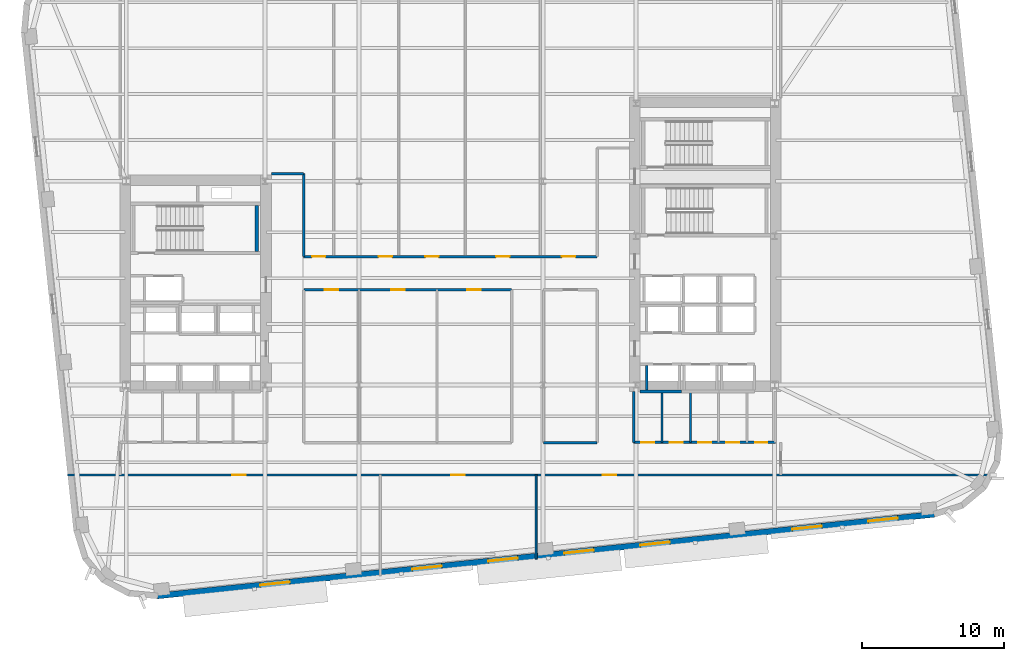
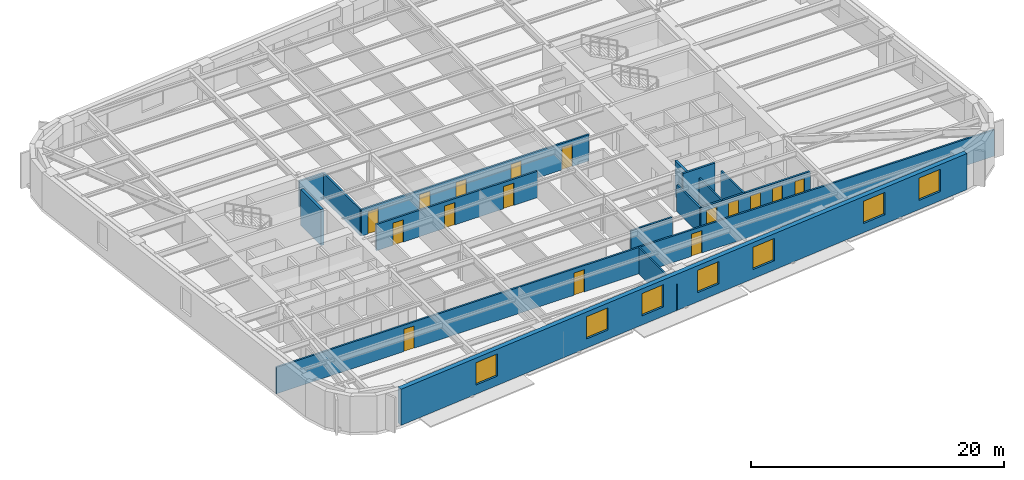
# One storey, part 5 of 15: 16 doors, 15 walls, 7 windows, 23 openings.
"""IFC4 building model written with IfcOpenShell, lengths in metres."""

from ifc_helpers import new_model, si_unit, direction, frame, frame_2d, origin, place, context, subcontext, project, spatial, rectangle, extrude, material, layer, layer_set, type_object, element, fill, save


model = new_model("IFC4")

# Units and contexts
model_context = context("Model", 3, precision=1e-05, world=origin(), true_north=direction((0.0, 1.0)))
body_context = subcontext(model_context, "Body", "Model", "MODEL_VIEW")
ifc_project = project(units=[si_unit("LENGTHUNIT", "METRE"), si_unit("AREAUNIT", "SQUARE_METRE"), si_unit("VOLUMEUNIT", "CUBIC_METRE"), si_unit("PLANEANGLEUNIT", "RADIAN"), si_unit("MASSUNIT", "GRAM", prefix="KILO")], contexts=[model_context])

# Site, building, storey
site_placement = place(None, origin())
site = spatial("IfcSite", under=ifc_project, at=site_placement, CompositionType="ELEMENT")
building_placement = place(site_placement, origin())
building = spatial("IfcBuilding", under=site, at=building_placement, Name="Kolvaren Arena Tower", CompositionType="ELEMENT")
storey_placement = place(building_placement, frame((0.0, 0.0, 118.449951171875)))
storey = spatial("IfcBuildingStorey", under=building, at=storey_placement, Name="L27", CompositionType="ELEMENT", Elevation=118.449951171875)

# Wall, openings, doors
ifc_material_1 = material(Name="Gypsum board acoustic assembly", Category="gypsum")
ifc_layer_1 = layer(ifc_material_1, 0.159912109375)
ifc_layer_set_1 = layer_set([ifc_layer_1], Name="Gypsum board acoustic assembly")
wall_type_1 = type_object("IfcWallType", Name="CORR-160", PredefinedType="PARTITIONING", material=ifc_layer_set_1)
wall_1_placement = place(storey_placement, frame((10.41552734375, 13.10009765625, 0.0), z_axis=(0.0, 0.0, 1.0), x_axis=(1.0, 0.0, 0.0)))
wall_1 = element("IfcWall", 1, at=wall_1_placement, inside=storey, type_object=wall_type_1, Name="Interior Partition Wall (L27)", PredefinedType="PARTITIONING", context=body_context, shape_type="SweptSolid", body=[
    extrude(rectangle(XDim=65.414794921875, YDim=0.159912109375, at=frame_2d((32.70751953125, 0.0))), origin(), (0.0, 0.0, 1.0), 2.5400390625),
])
opening_1_placement = place(wall_1_placement, frame((11.609619140625, 0.0, 0.0)))
opening_1 = element("IfcOpeningElement", 2, at=opening_1_placement, cuts=wall_1, Name="Opening D05", PredefinedType="OPENING", context=body_context, shape_type="SweptSolid", body=[
    extrude(rectangle(XDim=0.949951171875, YDim=2.14990234375, at=frame_2d((0.47509765625, 1.074951171875))), frame((0.0, 0.08984375, 0.0), z_axis=(0.0, -1.0, 0.0), x_axis=(1.0, 0.0, 0.0)), (0.0, 0.0, 1.0), 0.179931640625),
])
opening_2_placement = place(wall_1_placement, frame((27.109619140625, 0.0, 0.0)))
opening_2 = element("IfcOpeningElement", 3, at=opening_2_placement, cuts=wall_1, Name="Opening D05", PredefinedType="OPENING", context=body_context, shape_type="SweptSolid", body=[
    extrude(rectangle(XDim=0.949951171875, YDim=2.14990234375, at=frame_2d((0.47509765625, 1.074951171875))), frame((0.0, 0.08984375, 0.0), z_axis=(0.0, -1.0, 0.0), x_axis=(1.0, 0.0, 0.0)), (0.0, 0.0, 1.0), 0.179931640625),
])
opening_3_placement = place(wall_1_placement, frame((37.8095703125, 0.0, 0.0)))
opening_3 = element("IfcOpeningElement", 4, at=opening_3_placement, cuts=wall_1, Name="Opening D05", PredefinedType="OPENING", context=body_context, shape_type="SweptSolid", body=[
    extrude(rectangle(XDim=0.949951171875, YDim=2.14990234375, at=frame_2d((0.47509765625, 1.074951171875))), frame((0.0, 0.08984375, 0.0), z_axis=(0.0, -1.0, 0.0), x_axis=(1.0, 0.0, 0.0)), (0.0, 0.0, 1.0), 0.179931640625),
])
ifc_material_2 = material(Name="Solid-core oak acoustic office door", Category="wood")
door_type_1 = type_object("IfcDoorType", Name="DOOR-OF-095", OperationType="NOTDEFINED", PredefinedType="DOOR", material=ifc_material_2)
door_1_placement = place(opening_1_placement, origin())
door_1 = element("IfcDoor", 5, at=door_1_placement, inside=storey, type_object=door_type_1, Name="Design Studio Door (L27)", OperationType="SINGLE_SWING_LEFT", OverallHeight=2.14990234375, OverallWidth=0.949951171875, PredefinedType="DOOR", context=body_context, shape_type="SweptSolid", body=[
    extrude(rectangle(XDim=0.949951171875, YDim=2.14990234375, at=frame_2d((0.47509765625, 1.074951171875))), frame((0.0, 0.02490234375, 0.0), z_axis=(0.0, -1.0, 0.0), x_axis=(1.0, 0.0, 0.0)), (0.0, 0.0, 1.0), 0.050048828125),
])
fill(opening_1, door_1)
door_2_placement = place(opening_2_placement, origin())
door_2 = element("IfcDoor", 6, at=door_2_placement, inside=storey, type_object=door_type_1, Name="Client Lounge Door (L27)", OperationType="SINGLE_SWING_RIGHT", OverallHeight=2.14990234375, OverallWidth=0.949951171875, PredefinedType="DOOR", context=body_context, shape_type="SweptSolid", body=[
    extrude(rectangle(XDim=0.949951171875, YDim=2.14990234375, at=frame_2d((0.47509765625, 1.074951171875))), frame((0.0, 0.02490234375, 0.0), z_axis=(0.0, -1.0, 0.0), x_axis=(1.0, 0.0, 0.0)), (0.0, 0.0, 1.0), 0.050048828125),
])
fill(opening_2, door_2)
door_3_placement = place(opening_3_placement, origin())
door_3 = element("IfcDoor", 7, at=door_3_placement, inside=storey, type_object=door_type_1, Name="Executive Office Door (L27)", OperationType="SINGLE_SWING_LEFT", OverallHeight=2.14990234375, OverallWidth=0.949951171875, PredefinedType="DOOR", context=body_context, shape_type="SweptSolid", body=[
    extrude(rectangle(XDim=0.949951171875, YDim=2.14990234375, at=frame_2d((0.47509765625, 1.074951171875))), frame((0.0, 0.02490234375, 0.0), z_axis=(0.0, -1.0, 0.0), x_axis=(1.0, 0.0, 0.0)), (0.0, 0.0, 1.0), 0.050048828125),
])
fill(opening_3, door_3)

wall_2_placement = place(storey_placement, frame((27.080078125, 28.52001953125, 0.0), z_axis=(0.0, 0.0, 1.0), x_axis=(1.0, 0.0, 0.0)))
wall_2 = element("IfcWall", 8, at=wall_2_placement, inside=storey, type_object=wall_type_1, Name="Interior Partition Wall (L27)", PredefinedType="PARTITIONING", context=body_context, shape_type="SweptSolid", body=[
    extrude(rectangle(XDim=20.739990234375, YDim=0.159912109375, at=frame_2d((10.3701171875, 0.0))), origin(), (0.0, 0.0, 1.0), 2.5400390625),
])
opening_4_placement = place(wall_2_placement, frame((0.594970703125, 0.0, 0.0)))
opening_4 = element("IfcOpeningElement", 9, at=opening_4_placement, cuts=wall_2, Name="Opening D05", PredefinedType="OPENING", context=body_context, shape_type="SweptSolid", body=[
    extrude(rectangle(XDim=0.949951171875, YDim=2.14990234375, at=frame_2d((0.47509765625, 1.074951171875))), frame((0.0, 0.08984375, 0.0), z_axis=(0.0, -1.0, 0.0), x_axis=(1.0, 0.0, 0.0)), (0.0, 0.0, 1.0), 0.179931640625),
])
opening_5_placement = place(wall_2_placement, frame((5.294921875, 0.0, 0.0)))
opening_5 = element("IfcOpeningElement", 10, at=opening_5_placement, cuts=wall_2, Name="Opening D05", PredefinedType="OPENING", context=body_context, shape_type="SweptSolid", body=[
    extrude(rectangle(XDim=0.949951171875, YDim=2.14990234375, at=frame_2d((0.47509765625, 1.074951171875))), frame((0.0, 0.08984375, 0.0), z_axis=(0.0, -1.0, 0.0), x_axis=(1.0, 0.0, 0.0)), (0.0, 0.0, 1.0), 0.179931640625),
])
opening_6_placement = place(wall_2_placement, frame((8.594970703125, 0.0, 0.0)))
opening_6 = element("IfcOpeningElement", 11, at=opening_6_placement, cuts=wall_2, Name="Opening D05", PredefinedType="OPENING", context=body_context, shape_type="SweptSolid", body=[
    extrude(rectangle(XDim=0.949951171875, YDim=2.14990234375, at=frame_2d((0.47509765625, 1.074951171875))), frame((0.0, 0.08984375, 0.0), z_axis=(0.0, -1.0, 0.0), x_axis=(1.0, 0.0, 0.0)), (0.0, 0.0, 1.0), 0.179931640625),
])
opening_7_placement = place(wall_2_placement, frame((13.594970703125, 0.0, 0.0)))
opening_7 = element("IfcOpeningElement", 12, at=opening_7_placement, cuts=wall_2, Name="Opening D05", PredefinedType="OPENING", context=body_context, shape_type="SweptSolid", body=[
    extrude(rectangle(XDim=0.949951171875, YDim=2.14990234375, at=frame_2d((0.47509765625, 1.074951171875))), frame((0.0, 0.08984375, 0.0), z_axis=(0.0, -1.0, 0.0), x_axis=(1.0, 0.0, 0.0)), (0.0, 0.0, 1.0), 0.179931640625),
])
opening_8_placement = place(wall_2_placement, frame((18.2451171875, 0.0, 0.0)))
opening_8 = element("IfcOpeningElement", 13, at=opening_8_placement, cuts=wall_2, Name="Opening D05", PredefinedType="OPENING", context=body_context, shape_type="SweptSolid", body=[
    extrude(rectangle(XDim=0.949951171875, YDim=2.14990234375, at=frame_2d((0.47509765625, 1.074951171875))), frame((0.0, 0.08984375, 0.0), z_axis=(0.0, -1.0, 0.0), x_axis=(1.0, 0.0, 0.0)), (0.0, 0.0, 1.0), 0.179931640625),
])
door_4_placement = place(opening_4_placement, origin())
door_4 = element("IfcDoor", 14, at=door_4_placement, inside=storey, type_object=door_type_1, Name="Corporate Project Office Door (L27)", OperationType="SINGLE_SWING_RIGHT", OverallHeight=2.14990234375, OverallWidth=0.949951171875, PredefinedType="DOOR", context=body_context, shape_type="SweptSolid", body=[
    extrude(rectangle(XDim=0.949951171875, YDim=2.14990234375, at=frame_2d((0.47509765625, 1.074951171875))), frame((0.0, 0.02490234375, 0.0), z_axis=(0.0, -1.0, 0.0), x_axis=(1.0, 0.0, 0.0)), (0.0, 0.0, 1.0), 0.050048828125),
])
fill(opening_4, door_4)
door_5_placement = place(opening_5_placement, origin())
door_5 = element("IfcDoor", 15, at=door_5_placement, inside=storey, type_object=door_type_1, Name="Breakout Pantry and Kitchen Door (L27)", OperationType="SINGLE_SWING_LEFT", OverallHeight=2.14990234375, OverallWidth=0.949951171875, PredefinedType="DOOR", context=body_context, shape_type="SweptSolid", body=[
    extrude(rectangle(XDim=0.949951171875, YDim=2.14990234375, at=frame_2d((0.47509765625, 1.074951171875))), frame((0.0, 0.02490234375, 0.0), z_axis=(0.0, -1.0, 0.0), x_axis=(1.0, 0.0, 0.0)), (0.0, 0.0, 1.0), 0.050048828125),
])
fill(opening_5, door_5)
door_6_placement = place(opening_6_placement, origin())
door_6 = element("IfcDoor", 16, at=door_6_placement, inside=storey, type_object=door_type_1, Name="Copy and Print Room Door (L27)", OperationType="SINGLE_SWING_RIGHT", OverallHeight=2.14990234375, OverallWidth=0.949951171875, PredefinedType="DOOR", context=body_context, shape_type="SweptSolid", body=[
    extrude(rectangle(XDim=0.949951171875, YDim=2.14990234375, at=frame_2d((0.47509765625, 1.074951171875))), frame((0.0, 0.02490234375, 0.0), z_axis=(0.0, -1.0, 0.0), x_axis=(1.0, 0.0, 0.0)), (0.0, 0.0, 1.0), 0.050048828125),
])
fill(opening_6, door_6)
door_7_placement = place(opening_7_placement, origin())
door_7 = element("IfcDoor", 17, at=door_7_placement, inside=storey, type_object=door_type_1, Name="Design Studio Door (L27)", OperationType="SINGLE_SWING_LEFT", OverallHeight=2.14990234375, OverallWidth=0.949951171875, PredefinedType="DOOR", context=body_context, shape_type="SweptSolid", body=[
    extrude(rectangle(XDim=0.949951171875, YDim=2.14990234375, at=frame_2d((0.47509765625, 1.074951171875))), frame((0.0, 0.02490234375, 0.0), z_axis=(0.0, -1.0, 0.0), x_axis=(1.0, 0.0, 0.0)), (0.0, 0.0, 1.0), 0.050048828125),
])
fill(opening_7, door_7)
door_8_placement = place(opening_8_placement, origin())
door_8 = element("IfcDoor", 18, at=door_8_placement, inside=storey, type_object=door_type_1, Name="Client Lounge Door (L27)", OperationType="SINGLE_SWING_RIGHT", OverallHeight=2.14990234375, OverallWidth=0.949951171875, PredefinedType="DOOR", context=body_context, shape_type="SweptSolid", body=[
    extrude(rectangle(XDim=0.949951171875, YDim=2.14990234375, at=frame_2d((0.47509765625, 1.074951171875))), frame((0.0, 0.02490234375, 0.0), z_axis=(0.0, -1.0, 0.0), x_axis=(1.0, 0.0, 0.0)), (0.0, 0.0, 1.0), 0.050048828125),
])
fill(opening_8, door_8)

# Walls
wall_3_placement = place(storey_placement, frame((27.080078125, 28.52001953125, 0.0), z_axis=(0.0, 0.0, 1.0), x_axis=(0.0, 1.0, 0.0)))
element("IfcWall", 19, at=wall_3_placement, inside=storey, type_object=wall_type_1, Name="Interior Partition Wall (L27)", PredefinedType="PARTITIONING", context=body_context, shape_type="SweptSolid", body=[
    extrude(rectangle(XDim=5.85986328125, YDim=0.159912109375, at=frame_2d((2.929931640625, 0.0))), origin(), (0.0, 0.0, 1.0), 2.5400390625),
])
wall_4_placement = place(storey_placement, frame((24.820068359375, 34.3798828125, 0.0), z_axis=(0.0, 0.0, 1.0), x_axis=(1.0, 0.0, 0.0)))
element("IfcWall", 20, at=wall_4_placement, inside=storey, type_object=wall_type_1, Name="Interior Partition Wall (L27)", PredefinedType="PARTITIONING", context=body_context, shape_type="SweptSolid", body=[
    extrude(rectangle(XDim=2.260009765625, YDim=0.159912109375, at=frame_2d((1.1298828125, 0.0))), origin(), (0.0, 0.0, 1.0), 2.5400390625),
])

# Wall, openings, doors
wall_5_placement = place(storey_placement, frame((27.10009765625, 26.179931640625, 0.0), z_axis=(0.0, 0.0, 1.0), x_axis=(1.0, 0.0, 0.0)))
wall_5 = element("IfcWall", 21, at=wall_5_placement, inside=storey, type_object=wall_type_1, Name="Interior Partition Wall (L27)", PredefinedType="PARTITIONING", context=body_context, shape_type="SweptSolid", body=[
    extrude(rectangle(XDim=14.659912109375, YDim=0.159912109375, at=frame_2d((7.330078125, 0.0))), origin(), (0.0, 0.0, 1.0), 2.5400390625),
])
opening_9_placement = place(wall_5_placement, frame((1.47509765625, 0.0, 0.0)))
opening_9 = element("IfcOpeningElement", 22, at=opening_9_placement, cuts=wall_5, Name="Opening D05", PredefinedType="OPENING", context=body_context, shape_type="SweptSolid", body=[
    extrude(rectangle(XDim=0.949951171875, YDim=2.14990234375, at=frame_2d((0.47509765625, 1.074951171875))), frame((0.0, 0.08984375, 0.0), z_axis=(0.0, -1.0, 0.0), x_axis=(1.0, 0.0, 0.0)), (0.0, 0.0, 1.0), 0.179931640625),
])
opening_10_placement = place(wall_5_placement, frame((6.175048828125, 0.0, 0.0)))
opening_10 = element("IfcOpeningElement", 23, at=opening_10_placement, cuts=wall_5, Name="Opening D05", PredefinedType="OPENING", context=body_context, shape_type="SweptSolid", body=[
    extrude(rectangle(XDim=0.949951171875, YDim=2.14990234375, at=frame_2d((0.47509765625, 1.074951171875))), frame((0.0, 0.08984375, 0.0), z_axis=(0.0, -1.0, 0.0), x_axis=(1.0, 0.0, 0.0)), (0.0, 0.0, 1.0), 0.179931640625),
])
opening_11_placement = place(wall_5_placement, frame((11.554931640625, 0.0, 0.0)))
opening_11 = element("IfcOpeningElement", 24, at=opening_11_placement, cuts=wall_5, Name="Opening D05", PredefinedType="OPENING", context=body_context, shape_type="SweptSolid", body=[
    extrude(rectangle(XDim=0.949951171875, YDim=2.14990234375, at=frame_2d((0.47509765625, 1.074951171875))), frame((0.0, 0.08984375, 0.0), z_axis=(0.0, -1.0, 0.0), x_axis=(1.0, 0.0, 0.0)), (0.0, 0.0, 1.0), 0.179931640625),
])
door_9_placement = place(opening_9_placement, origin())
door_9 = element("IfcDoor", 25, at=door_9_placement, inside=storey, type_object=door_type_1, Name="Executive Office Door (L27)", OperationType="SINGLE_SWING_LEFT", OverallHeight=2.14990234375, OverallWidth=0.949951171875, PredefinedType="DOOR", context=body_context, shape_type="SweptSolid", body=[
    extrude(rectangle(XDim=0.949951171875, YDim=2.14990234375, at=frame_2d((0.47509765625, 1.074951171875))), frame((0.0, 0.02490234375, 0.0), z_axis=(0.0, -1.0, 0.0), x_axis=(1.0, 0.0, 0.0)), (0.0, 0.0, 1.0), 0.050048828125),
])
fill(opening_9, door_9)
door_10_placement = place(opening_10_placement, origin())
door_10 = element("IfcDoor", 26, at=door_10_placement, inside=storey, type_object=door_type_1, Name="Boardroom Door (L27)", OperationType="SINGLE_SWING_RIGHT", OverallHeight=2.14990234375, OverallWidth=0.949951171875, PredefinedType="DOOR", context=body_context, shape_type="SweptSolid", body=[
    extrude(rectangle(XDim=0.949951171875, YDim=2.14990234375, at=frame_2d((0.47509765625, 1.074951171875))), frame((0.0, 0.02490234375, 0.0), z_axis=(0.0, -1.0, 0.0), x_axis=(1.0, 0.0, 0.0)), (0.0, 0.0, 1.0), 0.050048828125),
])
fill(opening_10, door_10)
door_11_placement = place(opening_11_placement, origin())
door_11 = element("IfcDoor", 27, at=door_11_placement, inside=storey, type_object=door_type_1, Name="Breakout Pantry and Kitchen Door (L27)", OperationType="SINGLE_SWING_LEFT", OverallHeight=2.14990234375, OverallWidth=0.949951171875, PredefinedType="DOOR", context=body_context, shape_type="SweptSolid", body=[
    extrude(rectangle(XDim=0.949951171875, YDim=2.14990234375, at=frame_2d((0.47509765625, 1.074951171875))), frame((0.0, 0.02490234375, 0.0), z_axis=(0.0, -1.0, 0.0), x_axis=(1.0, 0.0, 0.0)), (0.0, 0.0, 1.0), 0.050048828125),
])
fill(opening_11, door_11)

# Wall
wall_6_placement = place(storey_placement, frame((44.0400390625, 15.3798828125, 0.0), z_axis=(0.0, 0.0, 1.0), x_axis=(1.0, 0.0, 0.0)))
element("IfcWall", 28, at=wall_6_placement, inside=storey, type_object=wall_type_1, Name="Interior Partition Wall (L27)", PredefinedType="PARTITIONING", context=body_context, shape_type="SweptSolid", body=[
    extrude(rectangle(XDim=3.760009765625, YDim=0.159912109375, at=frame_2d((1.8798828125, 0.0))), origin(), (0.0, 0.0, 1.0), 2.5400390625),
])

# Wall, openings, windows
ifc_material_3 = material(Name="Precast concrete C50/60", Category="concrete")
ifc_layer_2 = layer(ifc_material_3, 0.419921875)
ifc_layer_set_2 = layer_set([ifc_layer_2], Name="Precast concrete C50/60")
wall_type_2 = type_object("IfcWallType", Name="EXT-PIER1", PredefinedType="SOLIDWALL", material=ifc_layer_set_2)
wall_7_placement = place(storey_placement, frame((71.641357421875, 10.3203125, 0.0), z_axis=(0.0, 0.0, 1.0), x_axis=(-0.994521775062, -0.104529607897, 0.0)))
wall_7 = element("IfcWall", 29, at=wall_7_placement, inside=storey, type_object=wall_type_2, Name="Exterior Precast Masonry-Frame Wall (L27)", PredefinedType="SOLIDWALL", context=body_context, shape_type="SweptSolid", body=[
    extrude(rectangle(XDim=55.199951171875, YDim=0.419921875, at=frame_2d((27.60009765625, 0.0))), origin(), (0.0, 0.0, 1.0), 3.47998046875),
])
opening_12_placement = place(wall_7_placement, frame((2.60009765625, 0.0, 0.8798828125)))
opening_12 = element("IfcOpeningElement", 30, at=opening_12_placement, cuts=wall_7, Name="Opening W01", PredefinedType="OPENING", context=body_context, shape_type="SweptSolid", body=[
    extrude(rectangle(XDim=2.10009765625, YDim=2.14990234375, at=frame_2d((1.050048828125, 1.074951171875))), frame((0.0, 0.219970703125, 0.0), z_axis=(0.0, -1.0, 0.0), x_axis=(1.0, 0.0, 0.0)), (0.0, 0.0, 1.0), 0.43994140625),
])
opening_13_placement = place(wall_7_placement, frame((8.0, 0.0, 0.8798828125)))
opening_13 = element("IfcOpeningElement", 31, at=opening_13_placement, cuts=wall_7, Name="Opening W01", PredefinedType="OPENING", context=body_context, shape_type="SweptSolid", body=[
    extrude(rectangle(XDim=2.10009765625, YDim=2.14990234375, at=frame_2d((1.050048828125, 1.074951171875))), frame((0.0, 0.219970703125, 0.0), z_axis=(0.0, -1.0, 0.0), x_axis=(1.0, 0.0, 0.0)), (0.0, 0.0, 1.0), 0.43994140625),
])
opening_14_placement = place(wall_7_placement, frame((18.800048828125, 0.0, 0.8798828125)))
opening_14 = element("IfcOpeningElement", 32, at=opening_14_placement, cuts=wall_7, Name="Opening W01", PredefinedType="OPENING", context=body_context, shape_type="SweptSolid", body=[
    extrude(rectangle(XDim=2.10009765625, YDim=2.14990234375, at=frame_2d((1.050048828125, 1.074951171875))), frame((0.0, 0.219970703125, 0.0), z_axis=(0.0, -1.0, 0.0), x_axis=(1.0, 0.0, 0.0)), (0.0, 0.0, 1.0), 0.43994140625),
])
opening_15_placement = place(wall_7_placement, frame((24.199951171875, 0.0, 0.8798828125)))
opening_15 = element("IfcOpeningElement", 33, at=opening_15_placement, cuts=wall_7, Name="Opening W01", PredefinedType="OPENING", context=body_context, shape_type="SweptSolid", body=[
    extrude(rectangle(XDim=2.10009765625, YDim=2.14990234375, at=frame_2d((1.050048828125, 1.074951171875))), frame((0.0, 0.219970703125, 0.0), z_axis=(0.0, -1.0, 0.0), x_axis=(1.0, 0.0, 0.0)), (0.0, 0.0, 1.0), 0.43994140625),
])
opening_16_placement = place(wall_7_placement, frame((29.60009765625, 0.0, 0.8798828125)))
opening_16 = element("IfcOpeningElement", 34, at=opening_16_placement, cuts=wall_7, Name="Opening W01", PredefinedType="OPENING", context=body_context, shape_type="SweptSolid", body=[
    extrude(rectangle(XDim=2.10009765625, YDim=2.14990234375, at=frame_2d((1.050048828125, 1.074951171875))), frame((0.0, 0.219970703125, 0.0), z_axis=(0.0, -1.0, 0.0), x_axis=(1.0, 0.0, 0.0)), (0.0, 0.0, 1.0), 0.43994140625),
])
opening_17_placement = place(wall_7_placement, frame((35.0, 0.0, 0.8798828125)))
opening_17 = element("IfcOpeningElement", 35, at=opening_17_placement, cuts=wall_7, Name="Opening W01", PredefinedType="OPENING", context=body_context, shape_type="SweptSolid", body=[
    extrude(rectangle(XDim=2.10009765625, YDim=2.14990234375, at=frame_2d((1.050048828125, 1.074951171875))), frame((0.0, 0.219970703125, 0.0), z_axis=(0.0, -1.0, 0.0), x_axis=(1.0, 0.0, 0.0)), (0.0, 0.0, 1.0), 0.43994140625),
])
opening_18_placement = place(wall_7_placement, frame((45.800048828125, 0.0, 0.8798828125)))
opening_18 = element("IfcOpeningElement", 36, at=opening_18_placement, cuts=wall_7, Name="Opening W01", PredefinedType="OPENING", context=body_context, shape_type="SweptSolid", body=[
    extrude(rectangle(XDim=2.10009765625, YDim=2.14990234375, at=frame_2d((1.050048828125, 1.074951171875))), frame((0.0, 0.219970703125, 0.0), z_axis=(0.0, -1.0, 0.0), x_axis=(1.0, 0.0, 0.0)), (0.0, 0.0, 1.0), 0.43994140625),
])
ifc_material_4 = material(Name="Triple-glazed low-E aluminium window", Category="aluminium")
window_type = type_object("IfcWindowType", Name="WIN-OFF-A", PartitioningType="DOUBLE_PANEL_VERTICAL", PredefinedType="WINDOW", material=ifc_material_4)
window_1_placement = place(opening_12_placement, origin())
window_1 = element("IfcWindow", 37, at=window_1_placement, inside=storey, type_object=window_type, Name="Punched Precast-Pier Window (L27)", OverallHeight=2.14990234375, OverallWidth=2.10009765625, PartitioningType="DOUBLE_PANEL_VERTICAL", PredefinedType="WINDOW", context=body_context, shape_type="SweptSolid", body=[
    extrude(rectangle(XDim=2.10009765625, YDim=2.14990234375, at=frame_2d((1.050048828125, 1.074951171875))), frame((0.0, 0.030029296875, 0.0), z_axis=(0.0, -1.0, 0.0), x_axis=(1.0, 0.0, 0.0)), (0.0, 0.0, 1.0), 0.06005859375),
])
fill(opening_12, window_1)
window_2_placement = place(opening_13_placement, origin())
window_2 = element("IfcWindow", 38, at=window_2_placement, inside=storey, type_object=window_type, Name="Punched Precast-Pier Window (L27)", OverallHeight=2.14990234375, OverallWidth=2.10009765625, PartitioningType="DOUBLE_PANEL_VERTICAL", PredefinedType="WINDOW", context=body_context, shape_type="SweptSolid", body=[
    extrude(rectangle(XDim=2.10009765625, YDim=2.14990234375, at=frame_2d((1.050048828125, 1.074951171875))), frame((0.0, 0.030029296875, 0.0), z_axis=(0.0, -1.0, 0.0), x_axis=(1.0, 0.0, 0.0)), (0.0, 0.0, 1.0), 0.06005859375),
])
fill(opening_13, window_2)
window_3_placement = place(opening_14_placement, origin())
window_3 = element("IfcWindow", 39, at=window_3_placement, inside=storey, type_object=window_type, Name="Punched Precast-Pier Window (L27)", OverallHeight=2.14990234375, OverallWidth=2.10009765625, PartitioningType="DOUBLE_PANEL_VERTICAL", PredefinedType="WINDOW", context=body_context, shape_type="SweptSolid", body=[
    extrude(rectangle(XDim=2.10009765625, YDim=2.14990234375, at=frame_2d((1.050048828125, 1.074951171875))), frame((0.0, 0.030029296875, 0.0), z_axis=(0.0, -1.0, 0.0), x_axis=(1.0, 0.0, 0.0)), (0.0, 0.0, 1.0), 0.06005859375),
])
fill(opening_14, window_3)
window_4_placement = place(opening_15_placement, origin())
window_4 = element("IfcWindow", 40, at=window_4_placement, inside=storey, type_object=window_type, Name="Punched Precast-Pier Window (L27)", OverallHeight=2.14990234375, OverallWidth=2.10009765625, PartitioningType="DOUBLE_PANEL_VERTICAL", PredefinedType="WINDOW", context=body_context, shape_type="SweptSolid", body=[
    extrude(rectangle(XDim=2.10009765625, YDim=2.14990234375, at=frame_2d((1.050048828125, 1.074951171875))), frame((0.0, 0.030029296875, 0.0), z_axis=(0.0, -1.0, 0.0), x_axis=(1.0, 0.0, 0.0)), (0.0, 0.0, 1.0), 0.06005859375),
])
fill(opening_15, window_4)
window_5_placement = place(opening_16_placement, origin())
window_5 = element("IfcWindow", 41, at=window_5_placement, inside=storey, type_object=window_type, Name="Punched Precast-Pier Window (L27)", OverallHeight=2.14990234375, OverallWidth=2.10009765625, PartitioningType="DOUBLE_PANEL_VERTICAL", PredefinedType="WINDOW", context=body_context, shape_type="SweptSolid", body=[
    extrude(rectangle(XDim=2.10009765625, YDim=2.14990234375, at=frame_2d((1.050048828125, 1.074951171875))), frame((0.0, 0.030029296875, 0.0), z_axis=(0.0, -1.0, 0.0), x_axis=(1.0, 0.0, 0.0)), (0.0, 0.0, 1.0), 0.06005859375),
])
fill(opening_16, window_5)
window_6_placement = place(opening_17_placement, origin())
window_6 = element("IfcWindow", 42, at=window_6_placement, inside=storey, type_object=window_type, Name="Punched Precast-Pier Window (L27)", OverallHeight=2.14990234375, OverallWidth=2.10009765625, PartitioningType="DOUBLE_PANEL_VERTICAL", PredefinedType="WINDOW", context=body_context, shape_type="SweptSolid", body=[
    extrude(rectangle(XDim=2.10009765625, YDim=2.14990234375, at=frame_2d((1.050048828125, 1.074951171875))), frame((0.0, 0.030029296875, 0.0), z_axis=(0.0, -1.0, 0.0), x_axis=(1.0, 0.0, 0.0)), (0.0, 0.0, 1.0), 0.06005859375),
])
fill(opening_17, window_6)
window_7_placement = place(opening_18_placement, origin())
window_7 = element("IfcWindow", 43, at=window_7_placement, inside=storey, type_object=window_type, Name="Punched Precast-Pier Window (L27)", OverallHeight=2.14990234375, OverallWidth=2.10009765625, PartitioningType="DOUBLE_PANEL_VERTICAL", PredefinedType="WINDOW", context=body_context, shape_type="SweptSolid", body=[
    extrude(rectangle(XDim=2.10009765625, YDim=2.14990234375, at=frame_2d((1.050048828125, 1.074951171875))), frame((0.0, 0.030029296875, 0.0), z_axis=(0.0, -1.0, 0.0), x_axis=(1.0, 0.0, 0.0)), (0.0, 0.0, 1.0), 0.06005859375),
])
fill(opening_18, window_7)

# Walls
ifc_material_5 = material(Name="Gypsum board partition assembly", Category="gypsum")
ifc_layer_3 = layer(ifc_material_5, 0.135009765625)
ifc_layer_set_3 = layer_set([ifc_layer_3], Name="Gypsum board partition assembly")
wall_type_3 = type_object("IfcWallType", Name="PART-135", PredefinedType="PARTITIONING", material=ifc_layer_set_3)
wall_8_placement = place(storey_placement, frame((43.5, 7.1513671875, 0.0), z_axis=(0.0, 0.0, 1.0), x_axis=(0.0, 1.0, 0.0)))
element("IfcWall", 44, at=wall_8_placement, inside=storey, type_object=wall_type_3, Name="Interior Partition Wall (L27)", PredefinedType="PARTITIONING", context=body_context, shape_type="SweptSolid", body=[
    extrude(rectangle(XDim=5.94873046875, YDim=0.135009765625, at=frame_2d((2.974365234375, 0.0))), origin(), (0.0, 0.0, 1.0), 2.5400390625),
])
ifc_material_6 = material(Name="Concrete 45 MPa", Category="concrete")
ifc_layer_4 = layer(ifc_material_6, 0.25)
ifc_layer_set_4 = layer_set([ifc_layer_4], Name="Concrete 45 MPa")
wall_type_4 = type_object("IfcWallType", Name="SHAFT-250", PredefinedType="SOLIDWALL", material=ifc_layer_set_4)
wall_9_placement = place(storey_placement, frame((23.780029296875, 28.89990234375, 0.0), z_axis=(0.0, 0.0, 1.0), x_axis=(0.0, 1.0, 0.0)))
element("IfcWall", 45, at=wall_9_placement, inside=storey, type_object=wall_type_4, Name="Core Shaft Wall (L27)", PredefinedType="SOLIDWALL", context=body_context, shape_type="SweptSolid", body=[
    extrude(rectangle(XDim=3.22998046875, YDim=0.239990234375, at=frame_2d((1.614990234375, 0.0))), origin(), (0.0, 0.0, 1.0), 3.47998046875),
])
wall_10_placement = place(storey_placement, frame((50.85009765625, 18.9951171875, 0.0), z_axis=(0.0, 0.0, 1.0), x_axis=(1.0, 0.0, 0.0)))
element("IfcWall", 46, at=wall_10_placement, inside=storey, type_object=wall_type_4, Name="Core Shaft Wall (L27)", PredefinedType="SOLIDWALL", context=body_context, shape_type="SweptSolid", body=[
    extrude(rectangle(XDim=2.93994140625, YDim=0.179931640625, at=frame_2d((1.469970703125, 0.0))), origin(), (0.0, 0.0, 1.0), 3.47998046875),
])
wall_11_placement = place(storey_placement, frame((51.304931640625, 19.0849609375, 0.0), z_axis=(0.0, 0.0, 1.0), x_axis=(0.0, 1.0, 0.0)))
element("IfcWall", 47, at=wall_11_placement, inside=storey, type_object=wall_type_4, Name="Core Shaft Wall (L27)", PredefinedType="SOLIDWALL", context=body_context, shape_type="SweptSolid", body=[
    extrude(rectangle(XDim=1.72998046875, YDim=0.179931640625, at=frame_2d((0.864990234375, 0.0))), origin(), (0.0, 0.0, 1.0), 3.47998046875),
])

# Wall, openings, doors
wall_12_placement = place(storey_placement, frame((50.39990234375, 15.39990234375, 0.0), z_axis=(0.0, 0.0, 1.0), x_axis=(1.0, 0.0, 0.0)))
wall_12 = element("IfcWall", 48, at=wall_12_placement, inside=storey, type_object=wall_type_4, Name="Interior Partition Wall (L27)", PredefinedType="SOLIDWALL", context=body_context, shape_type="SweptSolid", body=[
    extrude(rectangle(XDim=10.0, YDim=0.179931640625, at=frame_2d((5.0, 0.0))), origin(), (0.0, 0.0, 1.0), 2.5400390625),
])
opening_19_placement = place(wall_12_placement, frame((0.5400390625, 0.0, 0.0)))
opening_19 = element("IfcOpeningElement", 49, at=opening_19_placement, cuts=wall_12, Name="Opening D07", PredefinedType="OPENING", context=body_context, shape_type="SweptSolid", body=[
    extrude(rectangle(XDim=0.919921875, YDim=2.10009765625, at=frame_2d((0.4599609375, 1.050048828125))), frame((0.0, 0.099853515625, 0.0), z_axis=(0.0, -1.0, 0.0), x_axis=(1.0, 0.0, 0.0)), (0.0, 0.0, 1.0), 0.199951171875),
])
opening_20_placement = place(wall_12_placement, frame((2.5400390625, 0.0, 0.0)))
opening_20 = element("IfcOpeningElement", 50, at=opening_20_placement, cuts=wall_12, Name="Opening D07", PredefinedType="OPENING", context=body_context, shape_type="SweptSolid", body=[
    extrude(rectangle(XDim=0.919921875, YDim=2.10009765625, at=frame_2d((0.4599609375, 1.050048828125))), frame((0.0, 0.099853515625, 0.0), z_axis=(0.0, -1.0, 0.0), x_axis=(1.0, 0.0, 0.0)), (0.0, 0.0, 1.0), 0.199951171875),
])
opening_21_placement = place(wall_12_placement, frame((4.5400390625, 0.0, 0.0)))
opening_21 = element("IfcOpeningElement", 51, at=opening_21_placement, cuts=wall_12, Name="Opening D07", PredefinedType="OPENING", context=body_context, shape_type="SweptSolid", body=[
    extrude(rectangle(XDim=0.919921875, YDim=2.10009765625, at=frame_2d((0.4599609375, 1.050048828125))), frame((0.0, 0.099853515625, 0.0), z_axis=(0.0, -1.0, 0.0), x_axis=(1.0, 0.0, 0.0)), (0.0, 0.0, 1.0), 0.199951171875),
])
opening_22_placement = place(wall_12_placement, frame((6.5400390625, 0.0, 0.0)))
opening_22 = element("IfcOpeningElement", 52, at=opening_22_placement, cuts=wall_12, Name="Opening D07", PredefinedType="OPENING", context=body_context, shape_type="SweptSolid", body=[
    extrude(rectangle(XDim=0.919921875, YDim=2.10009765625, at=frame_2d((0.4599609375, 1.050048828125))), frame((0.0, 0.099853515625, 0.0), z_axis=(0.0, -1.0, 0.0), x_axis=(1.0, 0.0, 0.0)), (0.0, 0.0, 1.0), 0.199951171875),
])
opening_23_placement = place(wall_12_placement, frame((8.570068359375, 0.0, 0.0)))
opening_23 = element("IfcOpeningElement", 53, at=opening_23_placement, cuts=wall_12, Name="Opening D09", PredefinedType="OPENING", context=body_context, shape_type="SweptSolid", body=[
    extrude(rectangle(XDim=0.860107421875, YDim=2.050048828125, at=frame_2d((0.43017578125, 1.02490234375))), frame((0.0, 0.099853515625, 0.0), z_axis=(0.0, -1.0, 0.0), x_axis=(1.0, 0.0, 0.0)), (0.0, 0.0, 1.0), 0.199951171875),
])
ifc_material_7 = material(Name="Fire-rated steel riser access door", Category="steel")
door_type_2 = type_object("IfcDoorType", Name="DOOR-RS-086", OperationType="NOTDEFINED", PredefinedType="DOOR", material=ifc_material_7)
door_12_placement = place(opening_23_placement, origin())
door_12 = element("IfcDoor", 54, at=door_12_placement, inside=storey, type_object=door_type_2, Name="Telecom Riser Closet Door (L27)", OperationType="SINGLE_SWING_LEFT", OverallHeight=2.050048828125, OverallWidth=0.860107421875, PredefinedType="DOOR", context=body_context, shape_type="SweptSolid", body=[
    extrude(rectangle(XDim=0.860107421875, YDim=2.050048828125, at=frame_2d((0.43017578125, 1.02490234375))), frame((0.0, 0.02490234375, 0.0), z_axis=(0.0, -1.0, 0.0), x_axis=(1.0, 0.0, 0.0)), (0.0, 0.0, 1.0), 0.050048828125),
])
fill(opening_23, door_12)
ifc_material_8 = material(Name="Laminate universal washroom door", Category="wood")
door_type_3 = type_object("IfcDoorType", Name="DOOR-WC-092", OperationType="NOTDEFINED", PredefinedType="DOOR", material=ifc_material_8)
door_13_placement = place(opening_19_placement, origin())
door_13 = element("IfcDoor", 55, at=door_13_placement, inside=storey, type_object=door_type_3, Name="First Aid Store Door (L27)", OperationType="SINGLE_SWING_LEFT", OverallHeight=2.10009765625, OverallWidth=0.919921875, PredefinedType="DOOR", context=body_context, shape_type="SweptSolid", body=[
    extrude(rectangle(XDim=0.919921875, YDim=2.10009765625, at=frame_2d((0.4599609375, 1.050048828125))), frame((0.0, 0.02490234375, 0.0), z_axis=(0.0, -1.0, 0.0), x_axis=(1.0, 0.0, 0.0)), (0.0, 0.0, 1.0), 0.050048828125),
])
fill(opening_19, door_13)
door_14_placement = place(opening_20_placement, origin())
door_14 = element("IfcDoor", 56, at=door_14_placement, inside=storey, type_object=door_type_3, Name="Cleaner and Janitor Store Door (L27)", OperationType="SINGLE_SWING_RIGHT", OverallHeight=2.10009765625, OverallWidth=0.919921875, PredefinedType="DOOR", context=body_context, shape_type="SweptSolid", body=[
    extrude(rectangle(XDim=0.919921875, YDim=2.10009765625, at=frame_2d((0.4599609375, 1.050048828125))), frame((0.0, 0.02490234375, 0.0), z_axis=(0.0, -1.0, 0.0), x_axis=(1.0, 0.0, 0.0)), (0.0, 0.0, 1.0), 0.050048828125),
])
fill(opening_20, door_14)
door_15_placement = place(opening_21_placement, origin())
door_15 = element("IfcDoor", 57, at=door_15_placement, inside=storey, type_object=door_type_3, Name="Staff Pantry Door (L27)", OperationType="SINGLE_SWING_LEFT", OverallHeight=2.10009765625, OverallWidth=0.919921875, PredefinedType="DOOR", context=body_context, shape_type="SweptSolid", body=[
    extrude(rectangle(XDim=0.919921875, YDim=2.10009765625, at=frame_2d((0.4599609375, 1.050048828125))), frame((0.0, 0.02490234375, 0.0), z_axis=(0.0, -1.0, 0.0), x_axis=(1.0, 0.0, 0.0)), (0.0, 0.0, 1.0), 0.050048828125),
])
fill(opening_21, door_15)
door_16_placement = place(opening_22_placement, origin())
door_16 = element("IfcDoor", 58, at=door_16_placement, inside=storey, type_object=door_type_3, Name="Gender-Neutral Washroom Door (L27)", OperationType="SINGLE_SWING_RIGHT", OverallHeight=2.10009765625, OverallWidth=0.919921875, PredefinedType="DOOR", context=body_context, shape_type="SweptSolid", body=[
    extrude(rectangle(XDim=0.919921875, YDim=2.10009765625, at=frame_2d((0.4599609375, 1.050048828125))), frame((0.0, 0.02490234375, 0.0), z_axis=(0.0, -1.0, 0.0), x_axis=(1.0, 0.0, 0.0)), (0.0, 0.0, 1.0), 0.050048828125),
])
fill(opening_22, door_16)

# Walls
ifc_material_9 = material(Name="Moisture-resistant gypsum assembly", Category="gypsum")
ifc_layer_5 = layer(ifc_material_9, 0.14990234375)
ifc_layer_set_5 = layer_set([ifc_layer_5], Name="Moisture-resistant gypsum assembly")
wall_type_5 = type_object("IfcWallType", Name="WETW-150", PredefinedType="PARTITIONING", material=ifc_layer_set_5)
for number, where, z_axis, x_axis, name in (
    (59, (52.39990234375, 15.39990234375, 0.0), (0.0, 0.0, 1.0), (0.0, 1.0, 0.0), "Interior Partition Wall (L27)"),
    (60, (54.39990234375, 15.39990234375, 0.0), (0.0, 0.0, 1.0), (0.0, 1.0, 0.0), "Interior Partition Wall (L27)"),
    (61, (50.39990234375, 15.39990234375, 0.0), (0.0, 0.0, 1.0), (0.0, 1.0, 0.0), "Interior Partition Wall (L27)"),
):
    element("IfcWall", number, at=place(storey_placement, frame(where, z_axis=z_axis, x_axis=x_axis)), inside=storey, type_object=wall_type_5, Name=name, PredefinedType="PARTITIONING", context=body_context, shape_type="SweptSolid", body=[
        extrude(rectangle(XDim=3.580078125, YDim=0.14990234375, at=frame_2d((1.7900390625, 0.0))), origin(), (0.0, 0.0, 1.0), 2.5400390625),
    ])

save(model, "model.ifc")
